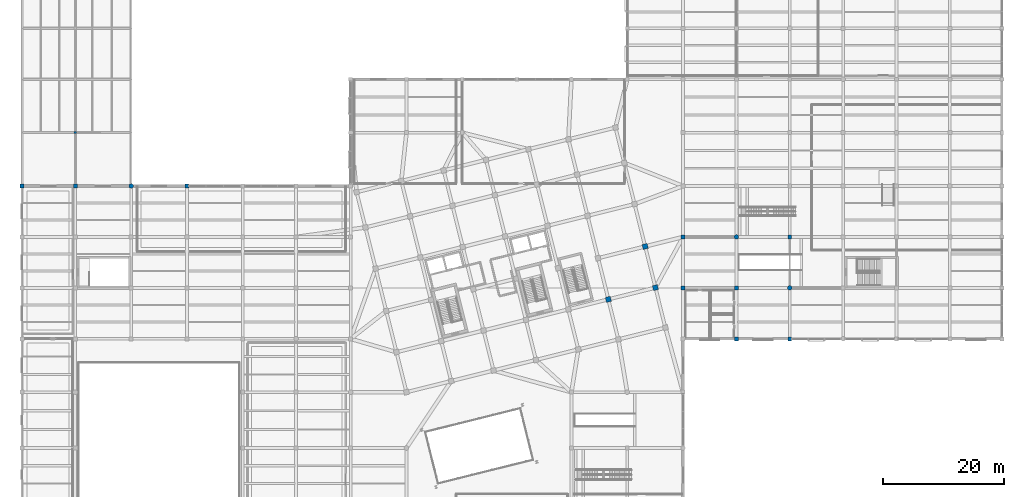
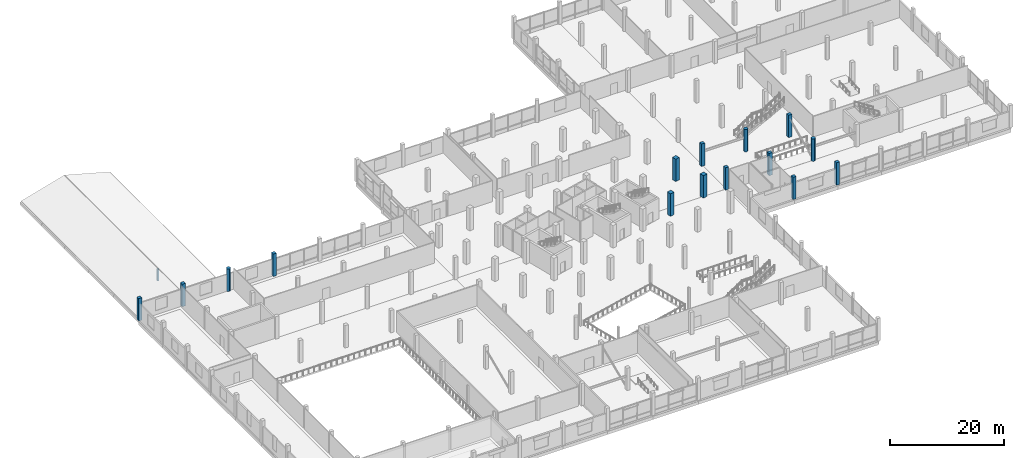
# One storey, part 7 of 71: 16 columns.
"""IFC4 building model written with IfcOpenShell, lengths in metres."""

from ifc_helpers import new_model, si_unit, direction, frame, origin, origin_2d, place, context, subcontext, project, spatial, rectangle, circle, extrude, material, material_profile, profile_set, type_object, element, save


model = new_model("IFC4")

# Units and contexts
model_context = context("Model", 3, precision=1e-05, world=origin(), true_north=direction((0.0, 1.0)))
body_context = subcontext(model_context, "Body", "Model", "MODEL_VIEW")
ifc_project = project(units=[si_unit("LENGTHUNIT", "METRE"), si_unit("AREAUNIT", "SQUARE_METRE"), si_unit("VOLUMEUNIT", "CUBIC_METRE"), si_unit("PLANEANGLEUNIT", "RADIAN"), si_unit("MASSUNIT", "GRAM", prefix="KILO")], contexts=[model_context])

# Site, building, storey
site_placement = place(None, origin())
site = spatial("IfcSite", under=ifc_project, at=site_placement, CompositionType="ELEMENT")
building_placement = place(site_placement, origin())
building = spatial("IfcBuilding", under=site, at=building_placement, Name="Meriwether Solvik Hall", CompositionType="ELEMENT")
storey_placement = place(building_placement, frame((0.0, 0.0, 5.10009765625)))
storey = spatial("IfcBuildingStorey", under=building, at=storey_placement, Name="L01", CompositionType="ELEMENT", Elevation=5.10009765625)

# Columns
ifc_material_1 = material(Name="Glulam Douglas-Fir L2 GL28c", Category="wood")
ifc_material_profile_1 = material_profile(ifc_material_1, rectangle(XDim=0.364990234375, YDim=0.364990234375, at=origin_2d()), Name="GLC-365X365")
ifc_profile_set_1 = profile_set([ifc_material_profile_1], Name="Glulam Douglas-Fir L2 GL28c")
column_type_1 = type_object("IfcColumnType", Name="COL-GL-365X365", PredefinedType="COLUMN", material=ifc_profile_set_1)
column_placement = place(storey_placement, frame((14.0, 84.0, 0.0), z_axis=(0.0, 0.0, 1.0), x_axis=(1.0, 0.0, 0.0)))
element("IfcColumn", 1, at=column_placement, inside=storey, type_object=column_type_1, Name="Roof Ridge Post 2/J (L01)", PredefinedType="COLUMN", context=body_context, shape_type="SweptSolid", body=[
    extrude(rectangle(XDim=0.364990234375, YDim=0.364990234375, at=origin_2d()), origin(), (0.0, 0.0, 1.0), 2.461181640625),
])
ifc_material_2 = material(Name="Concrete C40/50", Category="concrete")
ifc_material_profile_2 = material_profile(ifc_material_2, rectangle(XDim=0.64990234375, YDim=0.64990234375, at=origin_2d()), Name="RCC-650X650")
ifc_profile_set_2 = profile_set([ifc_material_profile_2], Name="Concrete C40/50")
column_type_2 = type_object("IfcColumnType", Name="COL-RC-650", PredefinedType="COLUMN", material=ifc_profile_set_2)
for number, where, z_axis, x_axis, name in (
    (2, (5.199951171875, 75.199951171875, 0.0), (0.0, 0.0, 1.0), (1.0, 0.0, 0.0), "Podium Column 1/I (L01)"),
    (3, (14.0, 75.199951171875, 0.0), (0.0, 0.0, 1.0), (1.0, 0.0, 0.0), "Podium Column 2/I (L01)"),
    (4, (32.39990234375, 75.199951171875, 0.0), (0.0, 0.0, 1.0), (1.0, 0.0, 0.0), "Podium Column 4/I (L01)"),
    (5, (114.199951171875, 58.39990234375, 0.0), (0.0, 0.0, 1.0), (1.0, 0.0, 0.0), "Podium Column 13/G (L01)"),
    (6, (114.199951171875, 66.800048828125, 0.0), (0.0, 0.0, 1.0), (1.0, 0.0, 0.0), "Podium Column 13/H (L01)"),
    (7, (123.0, 50.0, 0.0), (0.0, 0.0, 1.0), (1.0, 0.0, 0.0), "Podium Column 14/F (L01)"),
    (8, (123.0, 58.39990234375, 0.0), (0.0, 0.0, 1.0), (1.0, 0.0, 0.0), "Podium Column 14/G (L01)"),
    (9, (131.800048828125, 50.0, 0.0), (0.0, 0.0, 1.0), (1.0, 0.0, 0.0), "Podium Column 15/F (L01)"),
    (10, (131.800048828125, 66.800048828125, 0.0), (0.0, 0.0, 1.0), (1.0, 0.0, 0.0), "Podium Column 15/H (L01)"),
):
    element("IfcColumn", number, at=place(storey_placement, frame(where, z_axis=z_axis, x_axis=x_axis)), inside=storey, type_object=column_type_2, Name=name, PredefinedType="COLUMN", context=body_context, shape_type="SweptSolid", body=[
        extrude(rectangle(XDim=0.64990234375, YDim=0.64990234375, at=origin_2d()), origin(), (0.0, 0.0, 1.0), 4.7998046875),
    ])
ifc_material_3 = material(Name="Concrete C40/50", Category="concrete")
ifc_material_profile_3 = material_profile(ifc_material_3, rectangle(XDim=0.85009765625, YDim=0.85009765625, at=origin_2d()), Name="RCC-850X850")
ifc_profile_set_3 = profile_set([ifc_material_profile_3], Name="Concrete C40/50")
column_type_3 = type_object("IfcColumnType", Name="COL-RC-850", PredefinedType="COLUMN", material=ifc_profile_set_3)
for number, where, z_axis, x_axis, name in (
    (11, (101.885498046875, 56.507080078125, 0.0), (0.0, 0.0, 1.0), (0.970295726276, 0.2419218956, 0.0), "Tower Column T6/TB (L01)"),
    (12, (109.64794921875, 58.442626953125, 0.0), (0.0, 0.0, 1.0), (0.970295726276, 0.2419218956, 0.0), "Tower Column T7/TB (L01)"),
    (13, (107.95458984375, 65.234619140625, 0.0), (0.0, 0.0, 1.0), (0.970295726276, 0.2419218956, 0.0), "Tower Column T7/TC (L01)"),
):
    element("IfcColumn", number, at=place(storey_placement, frame(where, z_axis=z_axis, x_axis=x_axis)), inside=storey, type_object=column_type_3, Name=name, PredefinedType="COLUMN", context=body_context, shape_type="SweptSolid", body=[
        extrude(rectangle(XDim=0.85009765625, YDim=0.85009765625, at=origin_2d()), origin(), (0.0, 0.0, 1.0), 4.7998046875),
    ])
ifc_material_4 = material(Name="Concrete C40/50", Category="concrete")
ifc_material_profile_4 = material_profile(ifc_material_4, circle(Radius=0.375, at=origin_2d()), Name="RCC-D750")
ifc_profile_set_4 = profile_set([ifc_material_profile_4], Name="Concrete C40/50")
column_type_4 = type_object("IfcColumnType", Name="COL-RC-D750", PredefinedType="COLUMN", material=ifc_profile_set_4)
for number, where, z_axis, x_axis, name in (
    (14, (23.199951171875, 75.199951171875, 0.0), (0.0, 0.0, 1.0), (1.0, 0.0, 0.0), "Podium Column 3/I (L01)"),
    (15, (123.0, 66.800048828125, 0.0), (0.0, 0.0, 1.0), (1.0, 0.0, 0.0), "Podium Column 14/H (L01)"),
    (16, (131.800048828125, 58.39990234375, 0.0), (0.0, 0.0, 1.0), (1.0, 0.0, 0.0), "Podium Column 15/G (L01)"),
):
    element("IfcColumn", number, at=place(storey_placement, frame(where, z_axis=z_axis, x_axis=x_axis)), inside=storey, type_object=column_type_4, Name=name, PredefinedType="COLUMN", context=body_context, shape_type="SweptSolid", body=[
        extrude(circle(Radius=0.375, at=origin_2d()), origin(), (0.0, 0.0, 1.0), 4.7998046875),
    ])

save(model, "model.ifc")
